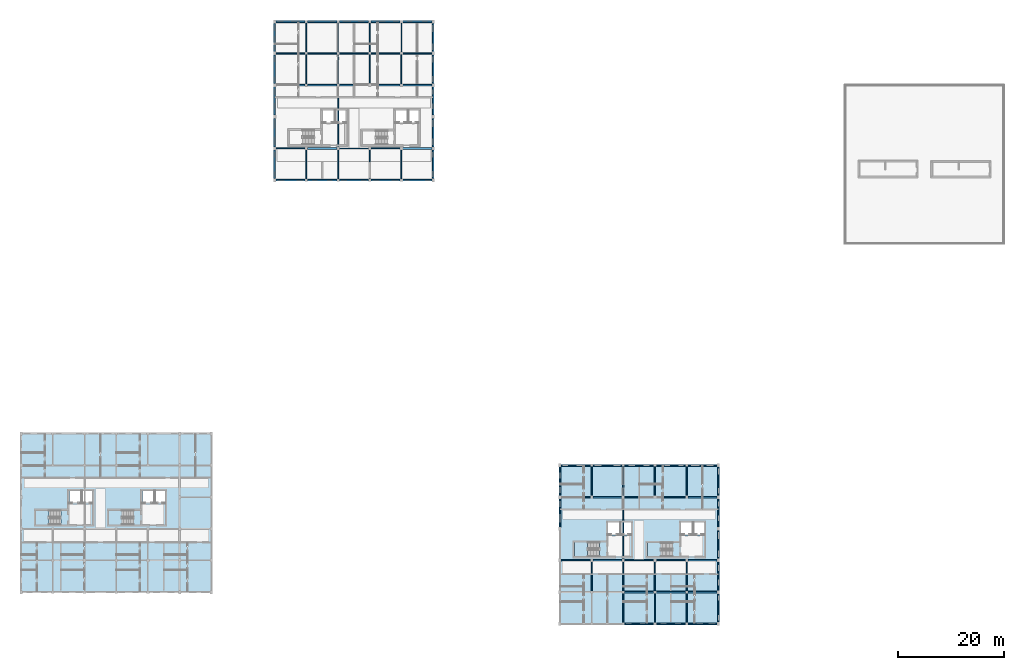
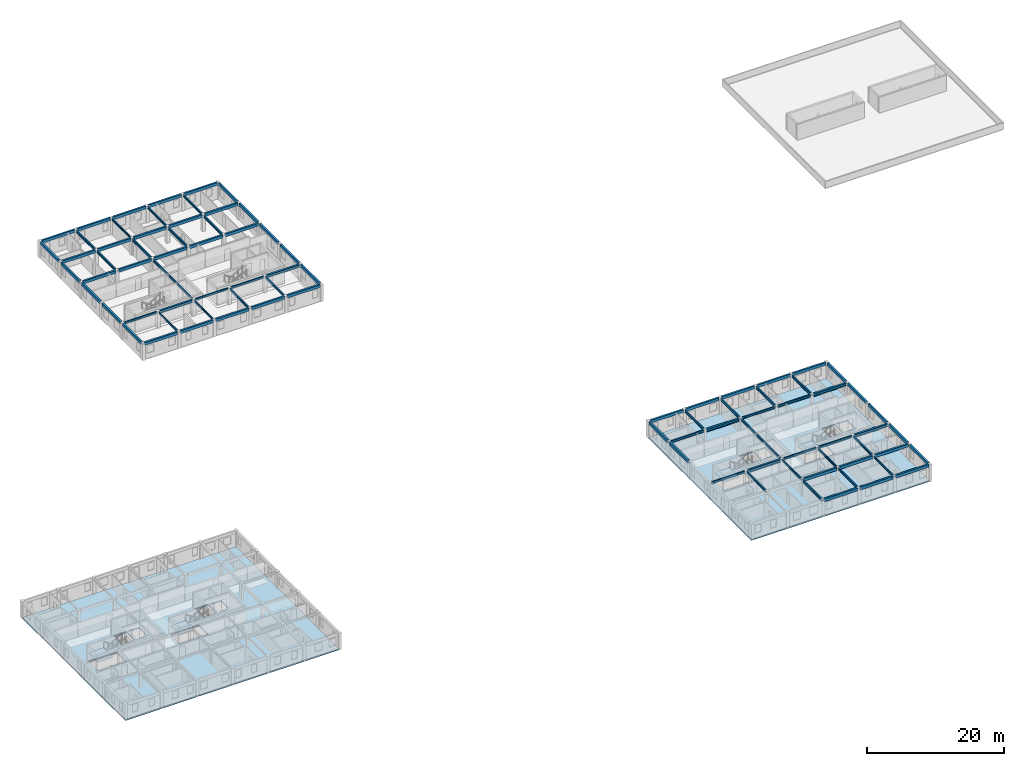
# One storey, part 2 of 23: 88 beams, 6 slabs, 4 elements without a shape of their own.
"""IFC4 building model written with IfcOpenShell, lengths in metres."""

import ifcopenshell
import ifcopenshell.guid

model = None  # the IFC model being written
_history = None  # IfcOwnerHistory: only IFC2X3 demands one
_inside = {}  # id of a spatial element -> (the spatial element, [elements in it])
_under = {}  # id of a project, library or spatial element -> (it, [spatial elements below it])
_declared = {}  # id of a project -> (the project, [libraries it declares])
_typed = {}  # id of a type object -> (the type object, [elements of that type])
_made_of = {}  # id of a material, layer set ... -> (it, [elements and type objects made of it])


def new_model(schema):
    """Start an empty IFC model of exactly this schema.

    Asked for "IFC4X3", IfcOpenShell would pick the latest addendum, in which some entities
    have other attributes; the version numbers below select the first issue.
    IFC2X3 requires an IfcOwnerHistory on every rooted entity: one is made here for all.
    """
    global model, _history
    if schema == "IFC4X3":
        model = ifcopenshell.file(schema_version=(4, 3, 0, 0))
    else:
        model = ifcopenshell.file(schema=schema)
    _inside.clear()
    _under.clear()
    _declared.clear()
    _typed.clear()
    _made_of.clear()
    _history = None
    if model.schema == "IFC2X3":
        org = make("IfcOrganization", Name="unknown")
        user = make(
            "IfcPersonAndOrganization",
            ThePerson=make("IfcPerson", FamilyName="unknown"),
            TheOrganization=org,
        )
        app = make(
            "IfcApplication",
            ApplicationDeveloper=org,
            Version="unknown",
            ApplicationFullName="unknown",
            ApplicationIdentifier="unknown",
        )
        _history = make(
            "IfcOwnerHistory",
            OwningUser=user,
            OwningApplication=app,
            ChangeAction="ADDED",
            CreationDate=0,
        )
    return model


def make(cls, **values):
    """One entity of the class cls with the attributes given. An attribute that is None is left unset."""
    return model.create_entity(
        cls, **{name: value for name, value in values.items() if value is not None}
    )


def rooted(cls, **values):
    """An entity with a GlobalId (a new one), such as an element, a storey or a relation."""
    return make(cls, GlobalId=ifcopenshell.guid.new(), OwnerHistory=_history, **values)


def si_unit(unit_type, name, prefix=None):
    """IfcSIUnit, for example si_unit("LENGTHUNIT", "METRE", prefix="MILLI")."""
    return make("IfcSIUnit", UnitType=unit_type, Prefix=prefix, Name=name)


def assignment(units):
    """IfcUnitAssignment: the units of a project."""
    return None if units is None else make("IfcUnitAssignment", Units=units)


def point(xyz):
    """IfcCartesianPoint."""
    return None if xyz is None else make("IfcCartesianPoint", Coordinates=xyz)


def direction(xyz):
    """IfcDirection."""
    return None if xyz is None else make("IfcDirection", DirectionRatios=xyz)


def frame(location, z_axis=None, x_axis=None):
    """IfcAxis2Placement3D, a coordinate frame: its origin and axes. An axis left out is left unset."""
    return make(
        "IfcAxis2Placement3D",
        Location=point(location),
        Axis=direction(z_axis),
        RefDirection=direction(x_axis),
    )


def frame_2d(location, x_axis=None):
    """IfcAxis2Placement2D, a coordinate frame in the plane: its origin and x axis."""
    return make(
        "IfcAxis2Placement2D", Location=point(location), RefDirection=direction(x_axis)
    )


def origin():
    """The frame at (0, 0, 0) with its axes left unset."""
    return frame((0.0, 0.0, 0.0))


def origin_2d():
    """The frame at (0, 0) in the plane with its x axis left unset."""
    return frame_2d((0.0, 0.0))


def place(relative_to, where):
    """IfcLocalPlacement: puts the frame where relative to a parent placement (None: the world)."""
    return make(
        "IfcLocalPlacement", PlacementRelTo=relative_to, RelativePlacement=where
    )


def context(
    kind, dimensions, precision=None, world=None, true_north=None, identifier=None
):
    """IfcGeometricRepresentationContext, for example the 3D "Model" context."""
    return make(
        "IfcGeometricRepresentationContext",
        ContextIdentifier=identifier,
        ContextType=kind,
        CoordinateSpaceDimension=dimensions,
        Precision=precision,
        WorldCoordinateSystem=world,
        TrueNorth=true_north,
    )


def subcontext(parent, identifier, kind, view, scale=None):
    """IfcGeometricRepresentationSubContext, for example "Body" below "Model"."""
    return make(
        "IfcGeometricRepresentationSubContext",
        ContextIdentifier=identifier,
        ContextType=kind,
        ParentContext=parent,
        TargetScale=scale,
        TargetView=view,
    )


def project(units=None, contexts=None):
    """IfcProject with its units and contexts."""
    return rooted(
        "IfcProject",
        Name="project",
        RepresentationContexts=contexts,
        UnitsInContext=assignment(units),
    )


def spatial(cls, under=None, at=None, **own):
    """A site, building, storey or space (cls), placed at a placement, below another one or the project."""
    s = rooted(cls, ObjectPlacement=at, **own)
    if under is not None:
        _under.setdefault(under.id(), (under, []))[1].append(s)
    return s


def polyline(points):
    """IfcPolyline through the points."""
    return make("IfcPolyline", Points=[point(p) for p in points])


def profile(cls, at=None, kind="AREA", **sizes):
    """A parametric profile (cls). Its sizes go by their IFC names, for example OverallWidth=200.0."""
    return make(cls, ProfileType=kind, Position=at, **sizes)


def rectangle(**sizes):
    """IfcRectangleProfileDef."""
    return profile("IfcRectangleProfileDef", **sizes)


def i_section(**sizes):
    """IfcIShapeProfileDef."""
    return profile("IfcIShapeProfileDef", **sizes)


def outline(outer, holes=None, kind="AREA"):
    """IfcArbitraryClosedProfileDef: a profile drawn as a closed curve; with holes, ...WithVoids."""
    if holes is None:
        return make("IfcArbitraryClosedProfileDef", ProfileType=kind, OuterCurve=outer)
    return make(
        "IfcArbitraryProfileDefWithVoids",
        ProfileType=kind,
        OuterCurve=outer,
        InnerCurves=holes,
    )


def extrude(swept, where, along, depth):
    """IfcExtrudedAreaSolid: the profile swept, set in the frame where, extruded along a direction by depth."""
    return make(
        "IfcExtrudedAreaSolid",
        SweptArea=swept,
        Position=where,
        ExtrudedDirection=direction(along),
        Depth=depth,
    )


def shape(context_of_items, identifier, shape_type, items):
    """IfcShapeRepresentation: the items that make up one representation, for example the "Body"."""
    return make(
        "IfcShapeRepresentation",
        ContextOfItems=context_of_items,
        RepresentationIdentifier=identifier,
        RepresentationType=shape_type,
        Items=items,
    )


def material(Name=None, Category=None):
    """IfcMaterial."""
    return make("IfcMaterial", Name=Name, Category=Category)


def layer(
    of_material, thickness, ventilated=None, Name=None, Category=None, Priority=None
):
    """IfcMaterialLayer: one layer of a wall or slab, of a material (None: an air gap)."""
    return make(
        "IfcMaterialLayer",
        Material=of_material,
        LayerThickness=thickness,
        IsVentilated=ventilated,
        Name=Name,
        Category=Category,
        Priority=Priority,
    )


def layer_set(layers, Name=None):
    """IfcMaterialLayerSet."""
    return make("IfcMaterialLayerSet", MaterialLayers=layers, LayerSetName=Name)


def material_profile(
    of_material, cross_section, Name=None, Category=None, Priority=None
):
    """IfcMaterialProfile: a cross section and its material."""
    return make(
        "IfcMaterialProfile",
        Name=Name,
        Material=of_material,
        Profile=cross_section,
        Priority=Priority,
        Category=Category,
    )


def profile_set(profiles, Name=None, composite=None):
    """IfcMaterialProfileSet."""
    return make(
        "IfcMaterialProfileSet",
        Name=Name,
        MaterialProfiles=profiles,
        CompositeProfile=composite,
    )


def made_of(thing, what):
    """Note that an element or type object is made of a material, layer set ...; save() writes the relation."""
    if what is not None:
        _made_of.setdefault(what.id(), (what, []))[1].append(thing)
    return thing


def type_object(cls, material=None, **own):
    """A type object (cls), such as IfcWallType, which elements share."""
    return made_of(rooted(cls, **own), material)


def element(
    cls,
    number,
    at=None,
    inside=None,
    cuts=None,
    type_object=None,
    material=None,
    context=None,
    identifier="Body",
    shape_type=None,
    held_by="IfcProductDefinitionShape",
    body=None,
    shapes=None,
    **own,
):
    """One element of the class cls, such as IfcWall. Its Tag is "e" and its number.

    at: its placement. inside: the storey or other place that contains it. cuts: it is an
    opening in that element (IfcRelVoidsElement). A single representation is given by context,
    identifier, shape_type and body (its items); several are given by shapes. held_by: the class
    of the entity that holds the representations. save() writes the other relations.
    """
    e = rooted(cls, Tag="e%d" % number, ObjectPlacement=at, **own)
    if body is not None:
        shapes = [shape(context, identifier, shape_type, body)]
    if shapes is not None:
        e.Representation = make(held_by, Representations=shapes)
    if inside is not None:
        _inside.setdefault(inside.id(), (inside, []))[1].append(e)
    if cuts is not None:
        rooted(
            "IfcRelVoidsElement", RelatingBuildingElement=cuts, RelatedOpeningElement=e
        )
    if type_object is not None:
        _typed.setdefault(type_object.id(), (type_object, []))[1].append(e)
    return made_of(e, material)


def aggregate(whole, parts):
    """IfcRelAggregates: a whole, such as a stair, and the parts it consists of."""
    return rooted("IfcRelAggregates", RelatingObject=whole, RelatedObjects=parts)


def save(model, path):
    """Write the relations noted so far, then the file.

    IfcRelAggregates (storeys below a building ...), IfcRelContainedInSpatialStructure (elements
    in a storey), IfcRelDefinesByType, IfcRelAssociatesMaterial and IfcRelDeclares: one each for
    every whole, place, type object, material and project.
    """
    for whole, parts in _under.values():
        aggregate(whole, parts)
    for where, things in _inside.values():
        rooted(
            "IfcRelContainedInSpatialStructure",
            RelatedElements=things,
            RelatingStructure=where,
        )
    for kind, things in _typed.values():
        rooted("IfcRelDefinesByType", RelatedObjects=things, RelatingType=kind)
    for what, things in _made_of.values():
        rooted("IfcRelAssociatesMaterial", RelatedObjects=things, RelatingMaterial=what)
    for by, libraries in _declared.values():
        rooted("IfcRelDeclares", RelatingContext=by, RelatedDefinitions=libraries)
    model.write(path)


model = new_model("IFC4")

# Units and contexts
model_context = context("Model", 3, precision=1e-05, world=origin(), true_north=direction((0.0, 1.0)))
body_context = subcontext(model_context, "Body", "Model", "MODEL_VIEW")
ifc_project = project(units=[si_unit("LENGTHUNIT", "METRE"), si_unit("AREAUNIT", "SQUARE_METRE"), si_unit("VOLUMEUNIT", "CUBIC_METRE"), si_unit("PLANEANGLEUNIT", "RADIAN"), si_unit("MASSUNIT", "GRAM", prefix="KILO"), si_unit("POWERUNIT", "WATT"), si_unit("THERMODYNAMICTEMPERATUREUNIT", "KELVIN")], contexts=[model_context])

# Site, building, storey
site_placement = place(None, origin())
site = spatial("IfcSite", under=ifc_project, at=site_placement, CompositionType="ELEMENT")
building_placement = place(site_placement, origin())
building = spatial("IfcBuilding", under=site, at=building_placement, Name="Ruvembo Vaulted Housing Court", CompositionType="ELEMENT")
storey_placement = place(building_placement, frame((0.0, 0.0, 26.89990234375)))
storey = spatial("IfcBuildingStorey", under=building, at=storey_placement, Name="L08", CompositionType="ELEMENT", Elevation=26.89990234375)

# Beams
ifc_material_1 = material(Name="Steel S355J2", Category="steel")
ifc_material_profile_1 = material_profile(ifc_material_1, i_section(OverallWidth=0.300048828125, OverallDepth=0.5, WebThickness=0.014404296875, FlangeThickness=0.028076171875, FilletRadius=0.027099609375, at=origin_2d()), Name="HEB 320")
ifc_profile_set_1 = profile_set([ifc_material_profile_1], Name="Steel S355J2")
beam_type_1 = type_object("IfcBeamType", Name="BM-ST-HEB320", PredefinedType="BEAM", material=ifc_profile_set_1)
beam_1_placement = place(storey_placement, frame((108.235107421875, 12.0, 2.676025390625), z_axis=(1.0, 0.0, 0.0), x_axis=(0.0, 1.0, 0.0)))
element("IfcBeam", 1, at=beam_1_placement, inside=storey, type_object=beam_type_1, Name="L08 Grid Beam X #3002", PredefinedType="BEAM", context=body_context, shape_type="SweptSolid", body=[
    extrude(i_section(OverallWidth=0.300048828125, OverallDepth=0.5, WebThickness=0.014404296875, FlangeThickness=0.028076171875, FilletRadius=0.027099609375, at=origin_2d()), origin(), (0.0, 0.0, 1.0), 5.52978515625),
])
beam_2_placement = place(storey_placement, frame((126.235107421875, 12.0, 2.676025390625), z_axis=(1.0, 0.0, 0.0), x_axis=(0.0, 1.0, 0.0)))
element("IfcBeam", 2, at=beam_2_placement, inside=storey, type_object=beam_type_1, Name="L08 Grid Beam X #3005", PredefinedType="BEAM", context=body_context, shape_type="SweptSolid", body=[
    extrude(i_section(OverallWidth=0.300048828125, OverallDepth=0.5, WebThickness=0.014404296875, FlangeThickness=0.028076171875, FilletRadius=0.027099609375, at=origin_2d()), origin(), (0.0, 0.0, 1.0), 5.554931640625),
])
beam_3_placement = place(storey_placement, frame((108.235107421875, 24.0, 2.676025390625), z_axis=(1.0, 0.0, 0.0), x_axis=(0.0, 1.0, 0.0)))
element("IfcBeam", 3, at=beam_3_placement, inside=storey, type_object=beam_type_1, Name="L08 Grid Beam X #3014", PredefinedType="BEAM", context=body_context, shape_type="SweptSolid", body=[
    extrude(i_section(OverallWidth=0.300048828125, OverallDepth=0.5, WebThickness=0.014404296875, FlangeThickness=0.028076171875, FilletRadius=0.027099609375, at=origin_2d()), origin(), (0.0, 0.0, 1.0), 5.52978515625),
])
beam_4_placement = place(storey_placement, frame((126.235107421875, 24.0, 2.676025390625), z_axis=(1.0, 0.0, 0.0), x_axis=(0.0, 1.0, 0.0)))
element("IfcBeam", 4, at=beam_4_placement, inside=storey, type_object=beam_type_1, Name="L08 Grid Beam X #3017", PredefinedType="BEAM", context=body_context, shape_type="SweptSolid", body=[
    extrude(i_section(OverallWidth=0.300048828125, OverallDepth=0.5, WebThickness=0.014404296875, FlangeThickness=0.028076171875, FilletRadius=0.027099609375, at=origin_2d()), origin(), (0.0, 0.0, 1.0), 5.554931640625),
])
beam_5_placement = place(storey_placement, frame((54.235107421875, 90.0, 2.676025390625), z_axis=(1.0, 0.0, 0.0), x_axis=(0.0, 1.0, 0.0)))
element("IfcBeam", 5, at=beam_5_placement, inside=storey, type_object=beam_type_1, Name="L08 Grid Beam X #3041", PredefinedType="BEAM", context=body_context, shape_type="SweptSolid", body=[
    extrude(i_section(OverallWidth=0.300048828125, OverallDepth=0.5, WebThickness=0.014404296875, FlangeThickness=0.028076171875, FilletRadius=0.027099609375, at=origin_2d()), origin(), (0.0, 0.0, 1.0), 5.52978515625),
])
beam_6_placement = place(storey_placement, frame((72.235107421875, 90.0, 2.676025390625), z_axis=(1.0, 0.0, 0.0), x_axis=(0.0, 1.0, 0.0)))
element("IfcBeam", 6, at=beam_6_placement, inside=storey, type_object=beam_type_1, Name="L08 Grid Beam X #3044", PredefinedType="BEAM", context=body_context, shape_type="SweptSolid", body=[
    extrude(i_section(OverallWidth=0.300048828125, OverallDepth=0.5, WebThickness=0.014404296875, FlangeThickness=0.028076171875, FilletRadius=0.027099609375, at=origin_2d()), origin(), (0.0, 0.0, 1.0), 5.554931640625),
])
ifc_material_profile_2 = material_profile(ifc_material_1, i_section(OverallWidth=0.169921875, OverallDepth=0.360107421875, WebThickness=0.008056640625, FlangeThickness=0.0126953125, FilletRadius=0.01806640625, at=origin_2d()), Name="IPE 360")
ifc_profile_set_2 = profile_set([ifc_material_profile_2], Name="Steel S355J2")
beam_type_2 = type_object("IfcBeamType", Name="BM-ST-IPE360", PredefinedType="BEAM", material=ifc_profile_set_2)
for number, where, z_axis, x_axis, name in (
    (7, (114.235107421875, 12.0, 2.74609375), (1.0, 0.0, 0.0), (0.0, 1.0, 0.0), "L08 Grid Beam X #3003"),
    (8, (114.235107421875, 24.0, 2.74609375), (1.0, 0.0, 0.0), (0.0, 1.0, 0.0), "L08 Grid Beam X #3015"),
    (9, (60.235107421875, 90.0, 2.74609375), (1.0, 0.0, 0.0), (0.0, 1.0, 0.0), "L08 Grid Beam X #3042"),
    (10, (54.0, 84.235107421875, 2.74609375), (0.0, 1.0, 0.0), (-1.0, 0.0, 0.0), "L08 Grid Beam Y #3093"),
    (11, (60.0, 84.235107421875, 2.74609375), (0.0, 1.0, 0.0), (-1.0, 0.0, 0.0), "L08 Grid Beam Y #3096"),
    (12, (60.0, 108.235107421875, 2.74609375), (0.0, 1.0, 0.0), (-1.0, 0.0, 0.0), "L08 Grid Beam Y #3099"),
    (13, (66.0, 108.235107421875, 2.74609375), (0.0, 1.0, 0.0), (-1.0, 0.0, 0.0), "L08 Grid Beam Y #3102"),
    (14, (72.0, 108.235107421875, 2.74609375), (0.0, 1.0, 0.0), (-1.0, 0.0, 0.0), "L08 Grid Beam Y #3105"),
    (15, (108.0, 6.235107421875, 2.74609375), (0.0, 1.0, 0.0), (-1.0, 0.0, 0.0), "L08 Grid Beam Y #3117"),
    (16, (114.0, 6.235107421875, 2.74609375), (0.0, 1.0, 0.0), (-1.0, 0.0, 0.0), "L08 Grid Beam Y #3120"),
    (17, (120.0, 0.235107421875, 2.74609375), (0.0, 1.0, 0.0), (-1.0, 0.0, 0.0), "L08 Grid Beam Y #3123"),
    (18, (126.0, 0.235107421875, 2.74609375), (0.0, 1.0, 0.0), (-1.0, 0.0, 0.0), "L08 Grid Beam Y #3126"),
):
    element("IfcBeam", number, at=place(storey_placement, frame(where, z_axis=z_axis, x_axis=x_axis)), inside=storey, type_object=beam_type_2, Name=name, PredefinedType="BEAM", context=body_context, shape_type="SweptSolid", body=[
        extrude(i_section(OverallWidth=0.169921875, OverallDepth=0.360107421875, WebThickness=0.008056640625, FlangeThickness=0.0126953125, FilletRadius=0.01806640625, at=origin_2d()), origin(), (0.0, 0.0, 1.0), 5.52978515625),
    ])
ifc_material_profile_3 = material_profile(ifc_material_1, i_section(OverallWidth=0.179931640625, OverallDepth=0.39990234375, WebThickness=0.008544921875, FlangeThickness=0.013427734375, FilletRadius=0.02099609375, at=origin_2d()), Name="IPE 400")
ifc_profile_set_3 = profile_set([ifc_material_profile_3], Name="Steel S355J2")
beam_type_3 = type_object("IfcBeamType", Name="BM-ST-IPE400", PredefinedType="BEAM", material=ifc_profile_set_3)
beam_7_placement = place(storey_placement, frame((102.2099609375, 12.0, 2.72607421875), z_axis=(1.0, 0.0, 0.0), x_axis=(0.0, 1.0, 0.0)))
element("IfcBeam", 19, at=beam_7_placement, inside=storey, type_object=beam_type_3, Name="L08 Grid Beam X #3001", PredefinedType="BEAM", context=body_context, shape_type="SweptSolid", body=[
    extrude(i_section(OverallWidth=0.179931640625, OverallDepth=0.39990234375, WebThickness=0.008544921875, FlangeThickness=0.013427734375, FilletRadius=0.02099609375, at=origin_2d()), origin(), (0.0, 0.0, 1.0), 5.554931640625),
])
beam_8_placement = place(storey_placement, frame((120.235107421875, 12.0, 2.72607421875), z_axis=(1.0, 0.0, 0.0), x_axis=(0.0, 1.0, 0.0)))
element("IfcBeam", 20, at=beam_8_placement, inside=storey, type_object=beam_type_3, Name="L08 Grid Beam X #3004", PredefinedType="BEAM", context=body_context, shape_type="SweptSolid", body=[
    extrude(i_section(OverallWidth=0.179931640625, OverallDepth=0.39990234375, WebThickness=0.008544921875, FlangeThickness=0.013427734375, FilletRadius=0.02099609375, at=origin_2d()), origin(), (0.0, 0.0, 1.0), 5.52978515625),
])
beam_9_placement = place(storey_placement, frame((102.2099609375, 24.0, 2.72607421875), z_axis=(1.0, 0.0, 0.0), x_axis=(0.0, 1.0, 0.0)))
element("IfcBeam", 21, at=beam_9_placement, inside=storey, type_object=beam_type_3, Name="L08 Grid Beam X #3013", PredefinedType="BEAM", context=body_context, shape_type="SweptSolid", body=[
    extrude(i_section(OverallWidth=0.179931640625, OverallDepth=0.39990234375, WebThickness=0.008544921875, FlangeThickness=0.013427734375, FilletRadius=0.02099609375, at=origin_2d()), origin(), (0.0, 0.0, 1.0), 5.554931640625),
])
beam_10_placement = place(storey_placement, frame((120.235107421875, 24.0, 2.72607421875), z_axis=(1.0, 0.0, 0.0), x_axis=(0.0, 1.0, 0.0)))
element("IfcBeam", 22, at=beam_10_placement, inside=storey, type_object=beam_type_3, Name="L08 Grid Beam X #3016", PredefinedType="BEAM", context=body_context, shape_type="SweptSolid", body=[
    extrude(i_section(OverallWidth=0.179931640625, OverallDepth=0.39990234375, WebThickness=0.008544921875, FlangeThickness=0.013427734375, FilletRadius=0.02099609375, at=origin_2d()), origin(), (0.0, 0.0, 1.0), 5.52978515625),
])
beam_11_placement = place(storey_placement, frame((48.2099609375, 90.0, 2.72607421875), z_axis=(1.0, 0.0, 0.0), x_axis=(0.0, 1.0, 0.0)))
element("IfcBeam", 23, at=beam_11_placement, inside=storey, type_object=beam_type_3, Name="L08 Grid Beam X #3040", PredefinedType="BEAM", context=body_context, shape_type="SweptSolid", body=[
    extrude(i_section(OverallWidth=0.179931640625, OverallDepth=0.39990234375, WebThickness=0.008544921875, FlangeThickness=0.013427734375, FilletRadius=0.02099609375, at=origin_2d()), origin(), (0.0, 0.0, 1.0), 5.554931640625),
])
for number, where, z_axis, x_axis, name in (
    (24, (66.235107421875, 90.0, 2.72607421875), (1.0, 0.0, 0.0), (0.0, 1.0, 0.0), "L08 Grid Beam X #3043"),
    (25, (54.0, 102.235107421875, 2.72607421875), (0.0, 1.0, 0.0), (-1.0, 0.0, 0.0), "L08 Grid Beam Y #3094"),
):
    element("IfcBeam", number, at=place(storey_placement, frame(where, z_axis=z_axis, x_axis=x_axis)), inside=storey, type_object=beam_type_3, Name=name, PredefinedType="BEAM", context=body_context, shape_type="SweptSolid", body=[
        extrude(i_section(OverallWidth=0.179931640625, OverallDepth=0.39990234375, WebThickness=0.008544921875, FlangeThickness=0.013427734375, FilletRadius=0.02099609375, at=origin_2d()), origin(), (0.0, 0.0, 1.0), 5.52978515625),
    ])
beam_12_placement = place(storey_placement, frame((60.0, 90.235107421875, 2.72607421875), z_axis=(0.0, 1.0, 0.0), x_axis=(-1.0, 0.0, 0.0)))
element("IfcBeam", 26, at=beam_12_placement, inside=storey, type_object=beam_type_3, Name="L08 Grid Beam Y #3097", PredefinedType="BEAM", context=body_context, shape_type="SweptSolid", body=[
    extrude(i_section(OverallWidth=0.179931640625, OverallDepth=0.39990234375, WebThickness=0.008544921875, FlangeThickness=0.013427734375, FilletRadius=0.02099609375, at=origin_2d()), origin(), (0.0, 0.0, 1.0), 11.52978515625),
])
for number, where, z_axis, x_axis, name in (
    (27, (66.0, 84.235107421875, 2.72607421875), (0.0, 1.0, 0.0), (-1.0, 0.0, 0.0), "L08 Grid Beam Y #3100"),
    (28, (72.0, 84.235107421875, 2.72607421875), (0.0, 1.0, 0.0), (-1.0, 0.0, 0.0), "L08 Grid Beam Y #3103"),
    (29, (108.0, 24.235107421875, 2.72607421875), (0.0, 1.0, 0.0), (-1.0, 0.0, 0.0), "L08 Grid Beam Y #3118"),
):
    element("IfcBeam", number, at=place(storey_placement, frame(where, z_axis=z_axis, x_axis=x_axis)), inside=storey, type_object=beam_type_3, Name=name, PredefinedType="BEAM", context=body_context, shape_type="SweptSolid", body=[
        extrude(i_section(OverallWidth=0.179931640625, OverallDepth=0.39990234375, WebThickness=0.008544921875, FlangeThickness=0.013427734375, FilletRadius=0.02099609375, at=origin_2d()), origin(), (0.0, 0.0, 1.0), 5.52978515625),
    ])
beam_13_placement = place(storey_placement, frame((114.0, 12.235107421875, 2.72607421875), z_axis=(0.0, 1.0, 0.0), x_axis=(-1.0, 0.0, 0.0)))
element("IfcBeam", 30, at=beam_13_placement, inside=storey, type_object=beam_type_3, Name="L08 Grid Beam Y #3121", PredefinedType="BEAM", context=body_context, shape_type="SweptSolid", body=[
    extrude(i_section(OverallWidth=0.179931640625, OverallDepth=0.39990234375, WebThickness=0.008544921875, FlangeThickness=0.013427734375, FilletRadius=0.02099609375, at=origin_2d()), origin(), (0.0, 0.0, 1.0), 11.52978515625),
])
for number, where, z_axis, x_axis, name in (
    (31, (120.0, 6.235107421875, 2.72607421875), (0.0, 1.0, 0.0), (-1.0, 0.0, 0.0), "L08 Grid Beam Y #3124"),
    (32, (126.0, 6.235107421875, 2.72607421875), (0.0, 1.0, 0.0), (-1.0, 0.0, 0.0), "L08 Grid Beam Y #3127"),
):
    element("IfcBeam", number, at=place(storey_placement, frame(where, z_axis=z_axis, x_axis=x_axis)), inside=storey, type_object=beam_type_3, Name=name, PredefinedType="BEAM", context=body_context, shape_type="SweptSolid", body=[
        extrude(i_section(OverallWidth=0.179931640625, OverallDepth=0.39990234375, WebThickness=0.008544921875, FlangeThickness=0.013427734375, FilletRadius=0.02099609375, at=origin_2d()), origin(), (0.0, 0.0, 1.0), 5.52978515625),
    ])
ifc_material_profile_4 = material_profile(ifc_material_1, i_section(OverallWidth=0.18994140625, OverallDepth=0.449951171875, WebThickness=0.009521484375, FlangeThickness=0.0146484375, FilletRadius=0.02099609375, at=origin_2d()), Name="IPE 450")
ifc_profile_set_4 = profile_set([ifc_material_profile_4], Name="Steel S355J2")
beam_type_4 = type_object("IfcBeamType", Name="BM-ST-IPE450", PredefinedType="BEAM", material=ifc_profile_set_4)
for number, where, z_axis, x_axis, name in (
    (33, (54.0, 108.235107421875, 2.701171875), (0.0, 1.0, 0.0), (-1.0, 0.0, 0.0), "L08 Grid Beam Y #3095"),
    (34, (60.0, 102.235107421875, 2.701171875), (0.0, 1.0, 0.0), (-1.0, 0.0, 0.0), "L08 Grid Beam Y #3098"),
    (35, (66.0, 102.235107421875, 2.701171875), (0.0, 1.0, 0.0), (-1.0, 0.0, 0.0), "L08 Grid Beam Y #3101"),
    (36, (72.0, 102.235107421875, 2.701171875), (0.0, 1.0, 0.0), (-1.0, 0.0, 0.0), "L08 Grid Beam Y #3104"),
    (37, (114.0, 0.235107421875, 2.701171875), (0.0, 1.0, 0.0), (-1.0, 0.0, 0.0), "L08 Grid Beam Y #3119"),
    (38, (114.0, 24.235107421875, 2.701171875), (0.0, 1.0, 0.0), (-1.0, 0.0, 0.0), "L08 Grid Beam Y #3122"),
    (39, (120.0, 24.235107421875, 2.701171875), (0.0, 1.0, 0.0), (-1.0, 0.0, 0.0), "L08 Grid Beam Y #3125"),
    (40, (126.0, 24.235107421875, 2.701171875), (0.0, 1.0, 0.0), (-1.0, 0.0, 0.0), "L08 Grid Beam Y #3128"),
):
    element("IfcBeam", number, at=place(storey_placement, frame(where, z_axis=z_axis, x_axis=x_axis)), inside=storey, type_object=beam_type_4, Name=name, PredefinedType="BEAM", context=body_context, shape_type="SweptSolid", body=[
        extrude(i_section(OverallWidth=0.18994140625, OverallDepth=0.449951171875, WebThickness=0.009521484375, FlangeThickness=0.0146484375, FilletRadius=0.02099609375, at=origin_2d()), origin(), (0.0, 0.0, 1.0), 5.52978515625),
    ])
ifc_material_2 = material(Name="Concrete C35/45", Category="concrete")
ifc_material_profile_5 = material_profile(ifc_material_2, rectangle(XDim=0.300048828125, YDim=0.5, at=origin_2d()), Name="RC 300x500")
ifc_profile_set_5 = profile_set([ifc_material_profile_5], Name="Concrete C35/45")
beam_type_5 = type_object("IfcBeamType", Name="SP-RC-300x500", PredefinedType="SPANDREL", material=ifc_profile_set_5)
for number, where, z_axis, x_axis, name in (
    (41, (114.235107421875, 0.0, 2.72998046875), (1.0, 0.0, 0.0), (0.0, 1.0, 0.0), "L08 Grid Beam X #2981"),
    (42, (120.235107421875, 0.0, 2.72998046875), (1.0, 0.0, 0.0), (0.0, 1.0, 0.0), "L08 Grid Beam X #2982"),
):
    element("IfcBeam", number, at=place(storey_placement, frame(where, z_axis=z_axis, x_axis=x_axis)), inside=storey, type_object=beam_type_5, Name=name, PredefinedType="SPANDREL", context=body_context, shape_type="SweptSolid", body=[
        extrude(rectangle(XDim=0.300048828125, YDim=0.5, at=origin_2d()), origin(), (0.0, 0.0, 1.0), 5.52978515625),
    ])
beam_14_placement = place(storey_placement, frame((126.235107421875, 0.0, 2.72998046875), z_axis=(1.0, 0.0, 0.0), x_axis=(0.0, 1.0, 0.0)))
element("IfcBeam", 43, at=beam_14_placement, inside=storey, type_object=beam_type_5, Name="L08 Grid Beam X #2983", PredefinedType="SPANDREL", context=body_context, shape_type="SweptSolid", body=[
    extrude(rectangle(XDim=0.300048828125, YDim=0.5, at=origin_2d()), origin(), (0.0, 0.0, 1.0), 5.554931640625),
])
for number, where, z_axis, x_axis, name in (
    (44, (114.235107421875, 6.0, 2.72998046875), (1.0, 0.0, 0.0), (0.0, 1.0, 0.0), "L08 Grid Beam X #2992"),
    (45, (120.235107421875, 6.0, 2.72998046875), (1.0, 0.0, 0.0), (0.0, 1.0, 0.0), "L08 Grid Beam X #2993"),
):
    element("IfcBeam", number, at=place(storey_placement, frame(where, z_axis=z_axis, x_axis=x_axis)), inside=storey, type_object=beam_type_5, Name=name, PredefinedType="SPANDREL", context=body_context, shape_type="SweptSolid", body=[
        extrude(rectangle(XDim=0.300048828125, YDim=0.5, at=origin_2d()), origin(), (0.0, 0.0, 1.0), 5.52978515625),
    ])
for number, where, z_axis, x_axis, name in (
    (46, (126.235107421875, 6.0, 2.72998046875), (1.0, 0.0, 0.0), (0.0, 1.0, 0.0), "L08 Grid Beam X #2994"),
    (47, (102.2099609375, 30.0, 2.72998046875), (1.0, 0.0, 0.0), (0.0, 1.0, 0.0), "L08 Grid Beam X #3024"),
):
    element("IfcBeam", number, at=place(storey_placement, frame(where, z_axis=z_axis, x_axis=x_axis)), inside=storey, type_object=beam_type_5, Name=name, PredefinedType="SPANDREL", context=body_context, shape_type="SweptSolid", body=[
        extrude(rectangle(XDim=0.300048828125, YDim=0.5, at=origin_2d()), origin(), (0.0, 0.0, 1.0), 5.554931640625),
    ])
for number, where, z_axis, x_axis, name in (
    (48, (108.235107421875, 30.0, 2.72998046875), (1.0, 0.0, 0.0), (0.0, 1.0, 0.0), "L08 Grid Beam X #3025"),
    (49, (114.235107421875, 30.0, 2.72998046875), (1.0, 0.0, 0.0), (0.0, 1.0, 0.0), "L08 Grid Beam X #3026"),
    (50, (120.235107421875, 30.0, 2.72998046875), (1.0, 0.0, 0.0), (0.0, 1.0, 0.0), "L08 Grid Beam X #3027"),
):
    element("IfcBeam", number, at=place(storey_placement, frame(where, z_axis=z_axis, x_axis=x_axis)), inside=storey, type_object=beam_type_5, Name=name, PredefinedType="SPANDREL", context=body_context, shape_type="SweptSolid", body=[
        extrude(rectangle(XDim=0.300048828125, YDim=0.5, at=origin_2d()), origin(), (0.0, 0.0, 1.0), 5.52978515625),
    ])
for number, where, z_axis, x_axis, name in (
    (51, (126.235107421875, 30.0, 2.72998046875), (1.0, 0.0, 0.0), (0.0, 1.0, 0.0), "L08 Grid Beam X #3028"),
    (52, (48.2099609375, 84.0, 2.72998046875), (1.0, 0.0, 0.0), (0.0, 1.0, 0.0), "L08 Grid Beam X #3035"),
):
    element("IfcBeam", number, at=place(storey_placement, frame(where, z_axis=z_axis, x_axis=x_axis)), inside=storey, type_object=beam_type_5, Name=name, PredefinedType="SPANDREL", context=body_context, shape_type="SweptSolid", body=[
        extrude(rectangle(XDim=0.300048828125, YDim=0.5, at=origin_2d()), origin(), (0.0, 0.0, 1.0), 5.554931640625),
    ])
for number, where, z_axis, x_axis, name in (
    (53, (54.235107421875, 84.0, 2.72998046875), (1.0, 0.0, 0.0), (0.0, 1.0, 0.0), "L08 Grid Beam X #3036"),
    (54, (60.235107421875, 84.0, 2.72998046875), (1.0, 0.0, 0.0), (0.0, 1.0, 0.0), "L08 Grid Beam X #3037"),
    (55, (66.235107421875, 84.0, 2.72998046875), (1.0, 0.0, 0.0), (0.0, 1.0, 0.0), "L08 Grid Beam X #3038"),
):
    element("IfcBeam", number, at=place(storey_placement, frame(where, z_axis=z_axis, x_axis=x_axis)), inside=storey, type_object=beam_type_5, Name=name, PredefinedType="SPANDREL", context=body_context, shape_type="SweptSolid", body=[
        extrude(rectangle(XDim=0.300048828125, YDim=0.5, at=origin_2d()), origin(), (0.0, 0.0, 1.0), 5.52978515625),
    ])
for number, where, z_axis, x_axis, name in (
    (56, (72.235107421875, 84.0, 2.72998046875), (1.0, 0.0, 0.0), (0.0, 1.0, 0.0), "L08 Grid Beam X #3039"),
    (57, (48.2099609375, 102.0, 2.72998046875), (1.0, 0.0, 0.0), (0.0, 1.0, 0.0), "L08 Grid Beam X #3045"),
):
    element("IfcBeam", number, at=place(storey_placement, frame(where, z_axis=z_axis, x_axis=x_axis)), inside=storey, type_object=beam_type_5, Name=name, PredefinedType="SPANDREL", context=body_context, shape_type="SweptSolid", body=[
        extrude(rectangle(XDim=0.300048828125, YDim=0.5, at=origin_2d()), origin(), (0.0, 0.0, 1.0), 5.554931640625),
    ])
for number, where, z_axis, x_axis, name in (
    (58, (54.235107421875, 102.0, 2.72998046875), (1.0, 0.0, 0.0), (0.0, 1.0, 0.0), "L08 Grid Beam X #3046"),
    (59, (60.235107421875, 102.0, 2.72998046875), (1.0, 0.0, 0.0), (0.0, 1.0, 0.0), "L08 Grid Beam X #3047"),
    (60, (66.235107421875, 102.0, 2.72998046875), (1.0, 0.0, 0.0), (0.0, 1.0, 0.0), "L08 Grid Beam X #3048"),
):
    element("IfcBeam", number, at=place(storey_placement, frame(where, z_axis=z_axis, x_axis=x_axis)), inside=storey, type_object=beam_type_5, Name=name, PredefinedType="SPANDREL", context=body_context, shape_type="SweptSolid", body=[
        extrude(rectangle(XDim=0.300048828125, YDim=0.5, at=origin_2d()), origin(), (0.0, 0.0, 1.0), 5.52978515625),
    ])
for number, where, z_axis, x_axis, name in (
    (61, (72.235107421875, 102.0, 2.72998046875), (1.0, 0.0, 0.0), (0.0, 1.0, 0.0), "L08 Grid Beam X #3049"),
    (62, (48.2099609375, 108.0, 2.72998046875), (1.0, 0.0, 0.0), (0.0, 1.0, 0.0), "L08 Grid Beam X #3050"),
):
    element("IfcBeam", number, at=place(storey_placement, frame(where, z_axis=z_axis, x_axis=x_axis)), inside=storey, type_object=beam_type_5, Name=name, PredefinedType="SPANDREL", context=body_context, shape_type="SweptSolid", body=[
        extrude(rectangle(XDim=0.300048828125, YDim=0.5, at=origin_2d()), origin(), (0.0, 0.0, 1.0), 5.554931640625),
    ])
for number, where, z_axis, x_axis, name in (
    (63, (54.235107421875, 108.0, 2.72998046875), (1.0, 0.0, 0.0), (0.0, 1.0, 0.0), "L08 Grid Beam X #3051"),
    (64, (60.235107421875, 108.0, 2.72998046875), (1.0, 0.0, 0.0), (0.0, 1.0, 0.0), "L08 Grid Beam X #3052"),
    (65, (66.235107421875, 108.0, 2.72998046875), (1.0, 0.0, 0.0), (0.0, 1.0, 0.0), "L08 Grid Beam X #3053"),
):
    element("IfcBeam", number, at=place(storey_placement, frame(where, z_axis=z_axis, x_axis=x_axis)), inside=storey, type_object=beam_type_5, Name=name, PredefinedType="SPANDREL", context=body_context, shape_type="SweptSolid", body=[
        extrude(rectangle(XDim=0.300048828125, YDim=0.5, at=origin_2d()), origin(), (0.0, 0.0, 1.0), 5.52978515625),
    ])
for number, where, z_axis, x_axis, name in (
    (66, (72.235107421875, 108.0, 2.72998046875), (1.0, 0.0, 0.0), (0.0, 1.0, 0.0), "L08 Grid Beam X #3054"),
    (67, (48.2099609375, 114.0, 2.72998046875), (1.0, 0.0, 0.0), (0.0, 1.0, 0.0), "L08 Grid Beam X #3055"),
):
    element("IfcBeam", number, at=place(storey_placement, frame(where, z_axis=z_axis, x_axis=x_axis)), inside=storey, type_object=beam_type_5, Name=name, PredefinedType="SPANDREL", context=body_context, shape_type="SweptSolid", body=[
        extrude(rectangle(XDim=0.300048828125, YDim=0.5, at=origin_2d()), origin(), (0.0, 0.0, 1.0), 5.554931640625),
    ])
for number, where, z_axis, x_axis, name in (
    (68, (54.235107421875, 114.0, 2.72998046875), (1.0, 0.0, 0.0), (0.0, 1.0, 0.0), "L08 Grid Beam X #3056"),
    (69, (60.235107421875, 114.0, 2.72998046875), (1.0, 0.0, 0.0), (0.0, 1.0, 0.0), "L08 Grid Beam X #3057"),
    (70, (66.235107421875, 114.0, 2.72998046875), (1.0, 0.0, 0.0), (0.0, 1.0, 0.0), "L08 Grid Beam X #3058"),
):
    element("IfcBeam", number, at=place(storey_placement, frame(where, z_axis=z_axis, x_axis=x_axis)), inside=storey, type_object=beam_type_5, Name=name, PredefinedType="SPANDREL", context=body_context, shape_type="SweptSolid", body=[
        extrude(rectangle(XDim=0.300048828125, YDim=0.5, at=origin_2d()), origin(), (0.0, 0.0, 1.0), 5.52978515625),
    ])
beam_15_placement = place(storey_placement, frame((72.235107421875, 114.0, 2.72998046875), z_axis=(1.0, 0.0, 0.0), x_axis=(0.0, 1.0, 0.0)))
element("IfcBeam", 71, at=beam_15_placement, inside=storey, type_object=beam_type_5, Name="L08 Grid Beam X #3059", PredefinedType="SPANDREL", context=body_context, shape_type="SweptSolid", body=[
    extrude(rectangle(XDim=0.300048828125, YDim=0.5, at=origin_2d()), origin(), (0.0, 0.0, 1.0), 5.554931640625),
])
for number, where, z_axis, x_axis, name in (
    (72, (48.0, 84.31005859375, 2.72998046875), (0.0, 1.0, 0.0), (-1.0, 0.0, 0.0), "L08 Grid Beam Y #3088"),
    (73, (48.0, 90.31005859375, 2.72998046875), (0.0, 1.0, 0.0), (-1.0, 0.0, 0.0), "L08 Grid Beam Y #3089"),
    (74, (48.0, 96.31005859375, 2.72998046875), (0.0, 1.0, 0.0), (-1.0, 0.0, 0.0), "L08 Grid Beam Y #3090"),
    (75, (48.0, 102.31005859375, 2.72998046875), (0.0, 1.0, 0.0), (-1.0, 0.0, 0.0), "L08 Grid Beam Y #3091"),
    (76, (48.0, 108.31005859375, 2.72998046875), (0.0, 1.0, 0.0), (-1.0, 0.0, 0.0), "L08 Grid Beam Y #3092"),
    (77, (78.0, 84.31005859375, 2.72998046875), (0.0, 1.0, 0.0), (-1.0, 0.0, 0.0), "L08 Grid Beam Y #3106"),
    (78, (78.0, 90.31005859375, 2.72998046875), (0.0, 1.0, 0.0), (-1.0, 0.0, 0.0), "L08 Grid Beam Y #3107"),
    (79, (78.0, 96.31005859375, 2.72998046875), (0.0, 1.0, 0.0), (-1.0, 0.0, 0.0), "L08 Grid Beam Y #3108"),
    (80, (78.0, 102.31005859375, 2.72998046875), (0.0, 1.0, 0.0), (-1.0, 0.0, 0.0), "L08 Grid Beam Y #3109"),
    (81, (78.0, 108.31005859375, 2.72998046875), (0.0, 1.0, 0.0), (-1.0, 0.0, 0.0), "L08 Grid Beam Y #3110"),
    (82, (102.0, 18.31005859375, 2.72998046875), (0.0, 1.0, 0.0), (-1.0, 0.0, 0.0), "L08 Grid Beam Y #3114"),
    (83, (102.0, 24.31005859375, 2.72998046875), (0.0, 1.0, 0.0), (-1.0, 0.0, 0.0), "L08 Grid Beam Y #3115"),
    (84, (132.0, 0.31005859375, 2.72998046875), (0.0, 1.0, 0.0), (-1.0, 0.0, 0.0), "L08 Grid Beam Y #3129"),
    (85, (132.0, 6.31005859375, 2.72998046875), (0.0, 1.0, 0.0), (-1.0, 0.0, 0.0), "L08 Grid Beam Y #3130"),
    (86, (132.0, 12.31005859375, 2.72998046875), (0.0, 1.0, 0.0), (-1.0, 0.0, 0.0), "L08 Grid Beam Y #3131"),
    (87, (132.0, 18.31005859375, 2.72998046875), (0.0, 1.0, 0.0), (-1.0, 0.0, 0.0), "L08 Grid Beam Y #3132"),
    (88, (132.0, 24.31005859375, 2.72998046875), (0.0, 1.0, 0.0), (-1.0, 0.0, 0.0), "L08 Grid Beam Y #3133"),
):
    element("IfcBeam", number, at=place(storey_placement, frame(where, z_axis=z_axis, x_axis=x_axis)), inside=storey, type_object=beam_type_5, Name=name, PredefinedType="SPANDREL", context=body_context, shape_type="SweptSolid", body=[
        extrude(rectangle(XDim=0.300048828125, YDim=0.5, at=origin_2d()), origin(), (0.0, 0.0, 1.0), 5.3798828125),
    ])

# Slabs
ifc_material_3 = material(Name="Concrete C30/37", Category="concrete")
ifc_layer_1 = layer(ifc_material_3, 0.22509765625, Name="Concrete C30/37")
ifc_layer_set_1 = layer_set([ifc_layer_1], Name="Concrete C30/37")
slab_type_1 = type_object("IfcSlabType", Name="SL-FLR-225", PredefinedType="FLOOR", material=ifc_layer_set_1)
slab_1_placement = place(storey_placement, frame((0.0, 0.0, -0.224853515625)))
element("IfcSlab", 89, at=slab_1_placement, inside=storey, type_object=slab_type_1, Name="Block A L08 Structural Floor Slab", PredefinedType="FLOOR", context=body_context, shape_type="SweptSolid", body=[
    extrude(outline(polyline([(36.0, 6.0), (36.0, 36.0), (0.0, 36.0), (0.0, 6.0), (36.0, 6.0)]), holes=[polyline([(7.5, 21.449951171875), (2.75, 21.449951171875), (2.75, 18.75), (7.5, 18.75), (7.5, 21.449951171875)]), polyline([(9.14990234375, 22.85009765625), (11.35009765625, 22.85009765625), (11.35009765625, 25.25), (9.14990234375, 25.25), (9.14990234375, 22.85009765625)]), polyline([(11.60009765625, 22.85009765625), (13.449951171875, 22.85009765625), (13.449951171875, 25.25), (11.60009765625, 25.25), (11.60009765625, 22.85009765625)]), polyline([(21.300048828125, 21.449951171875), (16.550048828125, 21.449951171875), (16.550048828125, 18.75), (21.300048828125, 18.75), (21.300048828125, 21.449951171875)]), polyline([(22.949951171875, 22.85009765625), (25.14990234375, 22.85009765625), (25.14990234375, 25.25), (22.949951171875, 25.25), (22.949951171875, 22.85009765625)]), polyline([(25.39990234375, 22.85009765625), (27.25, 22.85009765625), (27.25, 25.25), (25.39990234375, 25.25), (25.39990234375, 22.85009765625)])]), origin(), (0.0, 0.0, 1.0), 0.224853515625),
])
slab_2_placement = place(storey_placement, frame((0.0, 0.0, -0.224853515625)))
element("IfcSlab", 90, at=slab_2_placement, inside=storey, type_object=slab_type_1, Name="Block C L08 Structural Floor Slab", PredefinedType="FLOOR", context=body_context, shape_type="SweptSolid", body=[
    extrude(outline(polyline([(132.0, 0.0), (132.0, 30.0), (102.0, 30.0), (102.0, 0.0), (132.0, 0.0)]), holes=[polyline([(109.5, 15.449951171875), (104.75, 15.449951171875), (104.75, 12.75), (109.5, 12.75), (109.5, 15.449951171875)]), polyline([(111.14990234375, 16.85009765625), (113.35009765625, 16.85009765625), (113.35009765625, 19.25), (111.14990234375, 19.25), (111.14990234375, 16.85009765625)]), polyline([(113.60009765625, 16.85009765625), (115.449951171875, 16.85009765625), (115.449951171875, 19.25), (113.60009765625, 19.25), (113.60009765625, 16.85009765625)]), polyline([(123.35009765625, 15.35009765625), (118.550048828125, 15.35009765625), (118.550048828125, 12.75), (123.35009765625, 12.75), (123.35009765625, 15.35009765625)]), polyline([(124.949951171875, 16.85009765625), (127.14990234375, 16.85009765625), (127.14990234375, 19.25), (124.949951171875, 19.25), (124.949951171875, 16.85009765625)]), polyline([(127.39990234375, 16.85009765625), (129.25, 16.85009765625), (129.25, 19.25), (127.39990234375, 19.25), (127.39990234375, 16.85009765625)])]), origin(), (0.0, 0.0, 1.0), 0.224853515625),
])

# Stair, slab
stair_type_1 = type_object("IfcStairType", Name="STR-CORE-1250", PredefinedType="HALF_TURN_STAIR", material=ifc_material_2)
stair_1_placement = place(storey_placement, origin())
stair_1 = element("IfcStair", 91, at=stair_1_placement, inside=storey, type_object=stair_type_1, Name="L08 Protected Exit Stair ST-A1", PredefinedType="HALF_TURN_STAIR")
ifc_layer_2 = layer(ifc_material_3, 0.201904296875, Name="Concrete C30/37")
ifc_layer_set_2 = layer_set([ifc_layer_2], Name="Concrete C30/37")
slab_type_2 = type_object("IfcSlabType", Name="SL-LAND-202", PredefinedType="LANDING", material=ifc_layer_set_2)
slab_3_placement = place(storey_placement, frame((0.0, 0.0, 1.400146484375)))
slab_3 = element("IfcSlab", 92, at=slab_3_placement, type_object=slab_type_2, Name="ST-A1 landing 1", PredefinedType="LANDING", context=body_context, shape_type="SweptSolid", body=[
    extrude(outline(polyline([(5.260009765625, 21.449951171875), (2.75, 21.449951171875), (2.75, 18.75), (5.260009765625, 18.75), (5.260009765625, 21.449951171875)])), origin(), (0.0, 0.0, 1.0), 0.199951171875),
])
aggregate(stair_1, [slab_3])

stair_2_placement = place(storey_placement, origin())
stair_2 = element("IfcStair", 93, at=stair_2_placement, inside=storey, type_object=stair_type_1, Name="L08 Protected Exit Stair ST-A2", PredefinedType="HALF_TURN_STAIR")
slab_4_placement = place(storey_placement, frame((0.0, 0.0, 1.400146484375)))
slab_4 = element("IfcSlab", 94, at=slab_4_placement, type_object=slab_type_2, Name="ST-A2 landing 1", PredefinedType="LANDING", context=body_context, shape_type="SweptSolid", body=[
    extrude(outline(polyline([(19.06005859375, 21.449951171875), (16.550048828125, 21.449951171875), (16.550048828125, 18.75), (19.06005859375, 18.75), (19.06005859375, 21.449951171875)])), origin(), (0.0, 0.0, 1.0), 0.199951171875),
])
aggregate(stair_2, [slab_4])

stair_3_placement = place(storey_placement, origin())
stair_3 = element("IfcStair", 95, at=stair_3_placement, inside=storey, type_object=stair_type_1, Name="L08 Protected Exit Stair ST-C1", PredefinedType="HALF_TURN_STAIR")
slab_5_placement = place(storey_placement, frame((0.0, 0.0, 1.400146484375)))
slab_5 = element("IfcSlab", 96, at=slab_5_placement, type_object=slab_type_2, Name="ST-C1 landing 1", PredefinedType="LANDING", context=body_context, shape_type="SweptSolid", body=[
    extrude(outline(polyline([(107.260009765625, 15.449951171875), (104.75, 15.449951171875), (104.75, 12.75), (107.260009765625, 12.75), (107.260009765625, 15.449951171875)])), origin(), (0.0, 0.0, 1.0), 0.199951171875),
])
aggregate(stair_3, [slab_5])

stair_type_2 = type_object("IfcStairType", Name="STR-CORE-1200", PredefinedType="HALF_TURN_STAIR", material=ifc_material_2)
stair_4_placement = place(storey_placement, origin())
stair_4 = element("IfcStair", 97, at=stair_4_placement, inside=storey, type_object=stair_type_2, Name="L08 Protected Exit Stair ST-C2", PredefinedType="HALF_TURN_STAIR")
slab_6_placement = place(storey_placement, frame((0.0, 0.0, 1.400146484375)))
slab_6 = element("IfcSlab", 98, at=slab_6_placement, type_object=slab_type_2, Name="ST-C2 landing 1", PredefinedType="LANDING", context=body_context, shape_type="SweptSolid", body=[
    extrude(outline(polyline([(121.110107421875, 15.35009765625), (118.550048828125, 15.35009765625), (118.550048828125, 12.75), (121.110107421875, 12.75), (121.110107421875, 15.35009765625)])), origin(), (0.0, 0.0, 1.0), 0.199951171875),
])
aggregate(stair_4, [slab_6])

save(model, "model.ifc")
